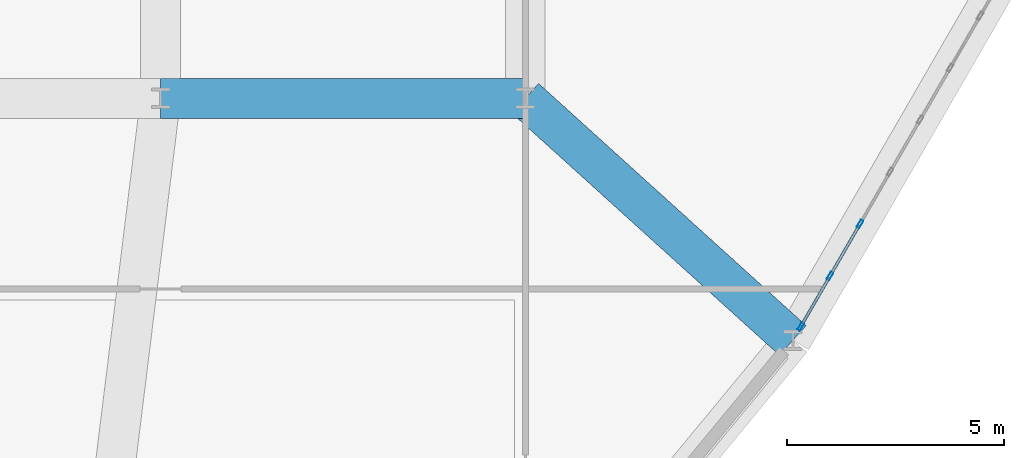
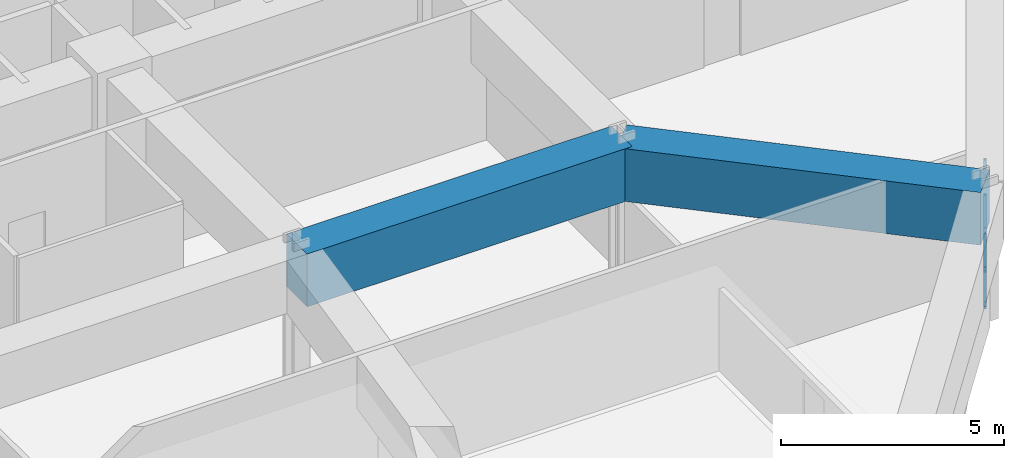
# One storey, part 6 of 20: 7 members, 2 beams, 1 element without a shape of its own.
"""IFC4 building model written with IfcOpenShell, lengths in metres."""

from ifc_helpers import new_model, si_unit, derived_unit, direction, frame, origin, origin_2d, place, context, subcontext, project, spatial, rectangle, hollow_rectangle, extrude, source, transform, mapped, material, layer, layer_set, material_profile, profile_set, type_object, element, aggregate, save


model = new_model("IFC4")

# Units and contexts
model_context = context("Model", 3, precision=1e-05, world=origin(), true_north=direction((0.0, 1.0)))
body_context = subcontext(model_context, "Body", "Model", "MODEL_VIEW")
ifc_project = project(units=[si_unit("LENGTHUNIT", "METRE"), si_unit("AREAUNIT", "SQUARE_METRE"), si_unit("VOLUMEUNIT", "CUBIC_METRE"), si_unit("PLANEANGLEUNIT", "RADIAN"), si_unit("MASSUNIT", "GRAM", prefix="KILO"), derived_unit("THERMALTRANSMITTANCEUNIT", [(si_unit("POWERUNIT", "WATT"), 1), (si_unit("LENGTHUNIT", "METRE"), -2), (si_unit("THERMODYNAMICTEMPERATUREUNIT", "KELVIN"), -1)])], contexts=[model_context])

# Site, building, storey
site_placement = place(None, origin())
site = spatial("IfcSite", under=ifc_project, at=site_placement, CompositionType="ELEMENT")
building_placement = place(site_placement, origin())
building = spatial("IfcBuilding", under=site, at=building_placement, Name="Korsvarv Bourse and Concert Hall", CompositionType="ELEMENT")
storey_placement = place(building_placement, frame((0.0, 0.0, 35.699951171875)))
storey = spatial("IfcBuildingStorey", under=building, at=storey_placement, Name="L08", CompositionType="ELEMENT", Elevation=35.699951171875)

# Beams
ifc_material_1 = material(Name="Concrete C50/60", Category="concrete")
ifc_material_profile_1 = material_profile(ifc_material_1, rectangle(XDim=0.919921875, YDim=1.43994140625, at=origin_2d()), Name="RC-BM 920x1440")
ifc_profile_set_1 = profile_set([ifc_material_profile_1], Name="Concrete C50/60")
beam_type = type_object("IfcBeamType", Name="BM-TR-144", PredefinedType="BEAM", material=ifc_profile_set_1)
shared_shape_1 = source(origin(), body_context, "Body", "SweptSolid", [
    extrude(rectangle(XDim=0.919921875, YDim=1.43994140625, at=origin_2d()), origin(), (0.0, 0.0, 1.0), 8.39990234375),
])
beam_1_placement = place(storey_placement, frame((36.0, 24.0, 2.9599609375), z_axis=(1.0, 0.0, 0.0), x_axis=(0.0, 1.0, 0.0)))
element("IfcBeam", 1, at=beam_1_placement, inside=storey, type_object=beam_type, Name="L08 beam B-TR4", PredefinedType="BEAM", context=body_context, shape_type="MappedRepresentation", body=[
    mapped(shared_shape_1, transform((0.0, 0.0, 0.0), scale=1.0)),
])
shared_shape_2 = source(origin(), body_context, "Body", "SweptSolid", [
    extrude(rectangle(XDim=0.919921875, YDim=1.43994140625, at=origin_2d()), origin(), (0.0, 0.0, 1.0), 8.31298828125),
])
beam_2_placement = place(storey_placement, frame((50.563720703125, 18.422119140625, 2.9599609375), z_axis=(-0.741470373588, 0.670985607216, 0.0), x_axis=(-0.670985607216, -0.741470373588, 0.0)))
element("IfcBeam", 2, at=beam_2_placement, inside=storey, type_object=beam_type, Name="L08 beam B-TR4", PredefinedType="BEAM", context=body_context, shape_type="MappedRepresentation", body=[
    mapped(shared_shape_2, transform((0.0, 0.0, 0.0), scale=1.0)),
])

# Curtain wall, members
ifc_material_2 = material(Name="Anodised aluminium and triple low-E glazing", Category="glass")
ifc_layer = layer(ifc_material_2, 0.219970703125)
ifc_layer_set = layer_set([ifc_layer], Name="Anodised aluminium and triple low-E glazing")
curtain_wall_type = type_object("IfcCurtainWallType", Name="CW-SYS-1", PredefinedType="NOTDEFINED", material=ifc_layer_set)
curtain_wall_placement = place(storey_placement, origin())
curtain_wall = element("IfcCurtainWall", 3, at=curtain_wall_placement, inside=storey, type_object=curtain_wall_type, Name="L08 CW1 curtain wall CW-L08-F11", PredefinedType="NOTDEFINED")
ifc_material_3 = material(Name="Extruded aluminium EN AW-6063 T66", Category="aluminium")
ifc_material_profile_2 = material_profile(ifc_material_3, hollow_rectangle(XDim=0.070068359375, YDim=0.18994140625, WallThickness=0.0048828125, at=origin_2d()), Name="ALU-M 70x190")
ifc_profile_set_2 = profile_set([ifc_material_profile_2], Name="Extruded aluminium EN AW-6063 T66")
member_type_1 = type_object("IfcMemberType", Name="CWM-190", PredefinedType="MULLION", material=ifc_profile_set_2)
shared_shape_3 = source(origin(), body_context, "Body", "SweptSolid", [
    extrude(hollow_rectangle(XDim=0.070068359375, YDim=0.18994140625, WallThickness=0.0048828125, at=origin_2d()), origin(), (0.0, 0.0, 1.0), 2.080078125),
])
member_1_placement = place(storey_placement, frame((50.746826171875, 18.7392578125, 0.0), z_axis=(0.0, 0.0, 1.0), x_axis=(-0.866025616828, 0.499999630998, 0.0)))
member_1 = element("IfcMember", 4, at=member_1_placement, type_object=member_type_1, Name="CW1 mullion 1", PredefinedType="MULLION", context=body_context, shape_type="MappedRepresentation", body=[
    mapped(shared_shape_3, transform((0.0, 0.0, 0.0), scale=1.0)),
])
member_2_placement = place(storey_placement, frame((51.421142578125, 19.9072265625, 0.0), z_axis=(0.0, 0.0, 1.0), x_axis=(-0.866025616828, 0.499999630998, 0.0)))
member_2 = element("IfcMember", 5, at=member_2_placement, type_object=member_type_1, Name="CW1 mullion 2", PredefinedType="MULLION", context=body_context, shape_type="MappedRepresentation", body=[
    mapped(shared_shape_3, transform((0.0, 0.0, 0.0), scale=1.0)),
])
member_3_placement = place(storey_placement, frame((52.113037109375, 21.10546875, 0.0), z_axis=(0.0, 0.0, 1.0), x_axis=(-0.866025616828, 0.499999630998, 0.0)))
member_3 = element("IfcMember", 6, at=member_3_placement, type_object=member_type_1, Name="CW1 mullion 3", PredefinedType="MULLION", context=body_context, shape_type="MappedRepresentation", body=[
    mapped(shared_shape_3, transform((0.0, 0.0, 0.0), scale=1.0)),
])
ifc_material_profile_3 = material_profile(ifc_material_3, hollow_rectangle(XDim=0.06494140625, YDim=0.139892578125, WallThickness=0.00390625, at=origin_2d()), Name="ALU-T 65x140")
ifc_profile_set_3 = profile_set([ifc_material_profile_3], Name="Extruded aluminium EN AW-6063 T66")
member_type_2 = type_object("IfcMemberType", Name="CWT-140", PredefinedType="USERDEFINED", material=ifc_profile_set_3)
shared_shape_4 = source(origin(), body_context, "Body", "SweptSolid", [
    extrude(hollow_rectangle(XDim=0.06494140625, YDim=0.139892578125, WallThickness=0.00390625, at=origin_2d()), origin(), (0.0, 0.0, 1.0), 1.27880859375),
])
member_4_placement = place(storey_placement, frame((50.764404296875, 18.76953125, 0.032470703125), z_axis=(0.50001992892, 0.866013897511, 0.0), x_axis=(-0.866013897511, 0.50001992892, 0.0)))
member_4 = element("IfcMember", 7, at=member_4_placement, type_object=member_type_2, Name="CW1 transom 1.1", ObjectType="TRANSOM", PredefinedType="USERDEFINED", context=body_context, shape_type="MappedRepresentation", body=[
    mapped(shared_shape_4, transform((0.0, 0.0, 0.0), scale=1.0)),
])
member_5_placement = place(storey_placement, frame((50.764404296875, 18.76953125, 2.047607421875), z_axis=(0.50001992892, 0.866013897511, 0.0), x_axis=(-0.866013897511, 0.50001992892, 0.0)))
member_5 = element("IfcMember", 8, at=member_5_placement, type_object=member_type_2, Name="CW1 transom 1.2", ObjectType="TRANSOM", PredefinedType="USERDEFINED", context=body_context, shape_type="MappedRepresentation", body=[
    mapped(shared_shape_4, transform((0.0, 0.0, 0.0), scale=1.0)),
])
shared_shape_5 = source(origin(), body_context, "Body", "SweptSolid", [
    extrude(hollow_rectangle(XDim=0.06494140625, YDim=0.139892578125, WallThickness=0.00390625, at=origin_2d()), origin(), (0.0, 0.0, 1.0), 1.313720703125),
])
member_6_placement = place(storey_placement, frame((51.438720703125, 19.9375, 0.032470703125), z_axis=(0.499936960004, 0.866061796884, 0.0), x_axis=(-0.866061796884, 0.499936960004, 0.0)))
member_6 = element("IfcMember", 9, at=member_6_placement, type_object=member_type_2, Name="CW1 transom 2.1", ObjectType="TRANSOM", PredefinedType="USERDEFINED", context=body_context, shape_type="MappedRepresentation", body=[
    mapped(shared_shape_5, transform((0.0, 0.0, 0.0), scale=1.0)),
])
member_7_placement = place(storey_placement, frame((51.438720703125, 19.9375, 2.047607421875), z_axis=(0.499936960004, 0.866061796884, 0.0), x_axis=(-0.866061796884, 0.499936960004, 0.0)))
member_7 = element("IfcMember", 10, at=member_7_placement, type_object=member_type_2, Name="CW1 transom 2.2", ObjectType="TRANSOM", PredefinedType="USERDEFINED", context=body_context, shape_type="MappedRepresentation", body=[
    mapped(shared_shape_5, transform((0.0, 0.0, 0.0), scale=1.0)),
])
aggregate(curtain_wall, [member_1, member_2, member_3, member_4, member_5, member_6, member_7])

save(model, "model.ifc")
